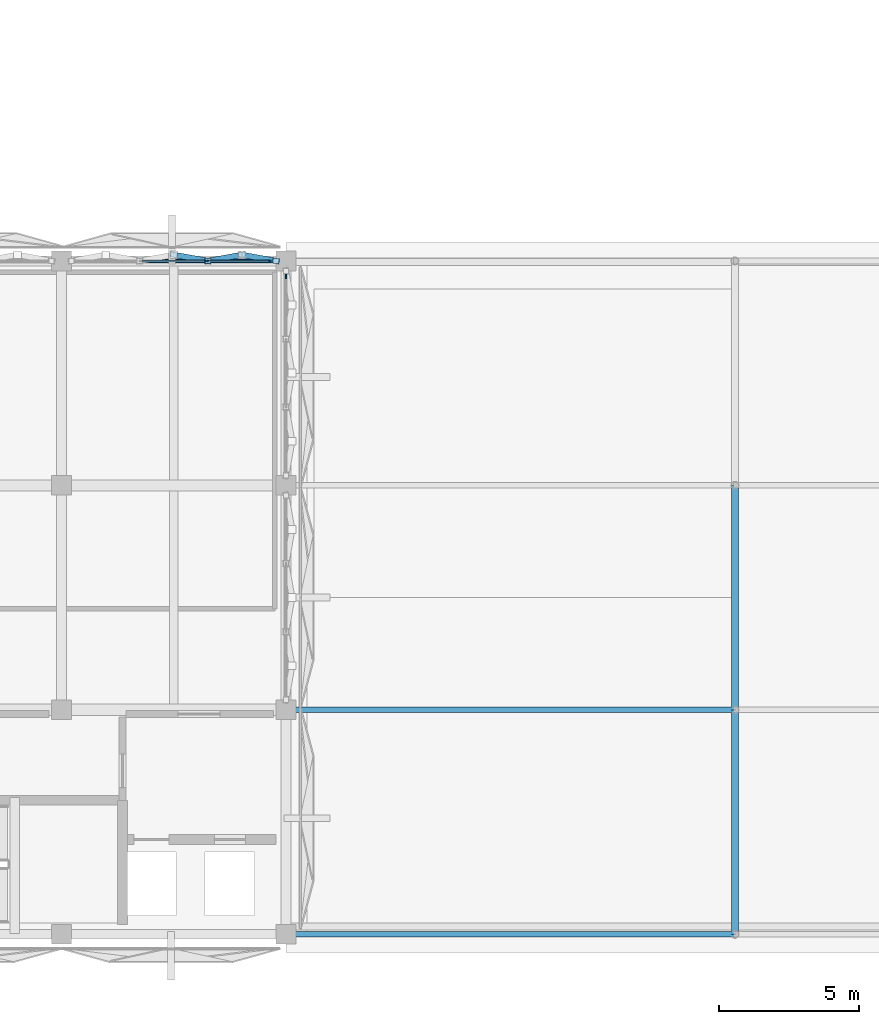
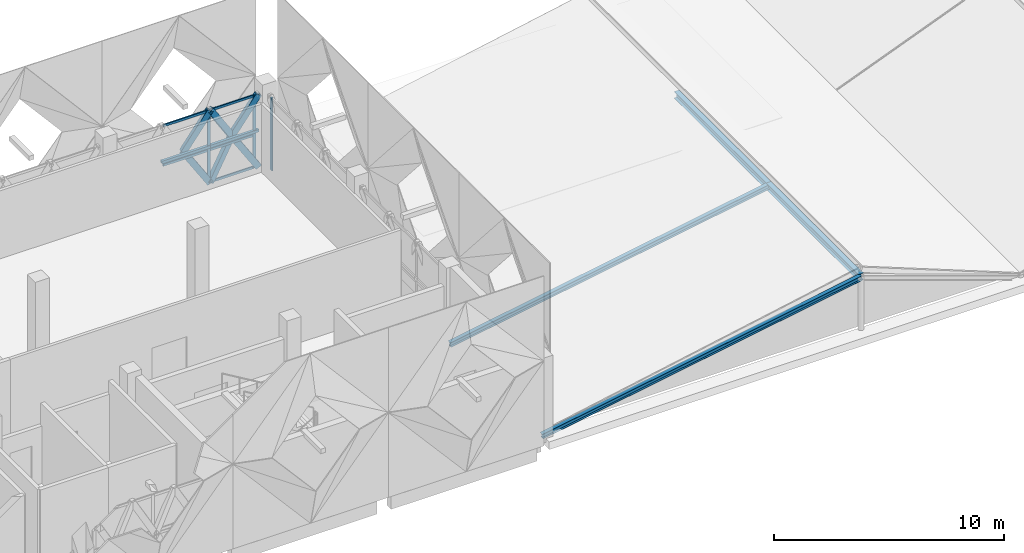
# One storey, part 16 of 37: 18 members, 2 beams, 2 elements without a shape of their own.
"""IFC4 building model written with IfcOpenShell, lengths in metres."""

from ifc_helpers import new_model, si_unit, direction, frame, origin, origin_2d, place, context, subcontext, project, spatial, rectangle, hollow_rectangle, i_section, extrude, material, layer, layer_set, material_profile, profile_set, type_object, element, aggregate, save


model = new_model("IFC4")

# Units and contexts
model_context = context("Model", 3, precision=1e-05, world=origin(), true_north=direction((0.0, 1.0)))
body_context = subcontext(model_context, "Body", "Model", "MODEL_VIEW")
ifc_project = project(units=[si_unit("LENGTHUNIT", "METRE"), si_unit("AREAUNIT", "SQUARE_METRE"), si_unit("VOLUMEUNIT", "CUBIC_METRE"), si_unit("PLANEANGLEUNIT", "RADIAN"), si_unit("MASSUNIT", "GRAM", prefix="KILO")], contexts=[model_context])

# Site, building, storey
site_placement = place(None, origin())
site = spatial("IfcSite", under=ifc_project, at=site_placement, CompositionType="ELEMENT")
building_placement = place(site_placement, origin())
building = spatial("IfcBuilding", under=site, at=building_placement, Name="Qorikala Patio Media Centre", CompositionType="ELEMENT")
storey_placement = place(building_placement, frame((0.0, 0.0, 14.39990234375)))
storey = spatial("IfcBuildingStorey", under=building, at=storey_placement, Name="L03", CompositionType="ELEMENT", Elevation=14.39990234375)

# Members
ifc_material_1 = material(Name="Golden Bronze Coated Steel S355", Category="steel")
ifc_material_profile_1 = material_profile(ifc_material_1, hollow_rectangle(XDim=0.139892578125, YDim=0.139892578125, WallThickness=0.006103515625, at=origin_2d()), Name="HSS140X140X6")
ifc_profile_set_1 = profile_set([ifc_material_profile_1], Name="Golden Bronze Coated Steel S355")
member_type_1 = type_object("IfcMemberType", Name="BRACE-DIA140", PredefinedType="BRACE", material=ifc_profile_set_1)
member_1_placement = place(storey_placement, frame((92.78662109375, 27.0, 1.925048828125), z_axis=(1.0, 0.0, 0.0), x_axis=(0.0, 1.0, 0.0)))
element("IfcMember", 1, at=member_1_placement, inside=storey, type_object=member_type_1, Name="L03 Diamond Fold Tie 107", PredefinedType="BRACE", context=body_context, shape_type="SweptSolid", body=[
    extrude(hollow_rectangle(XDim=0.139892578125, YDim=0.139892578125, WallThickness=0.006103515625, at=origin_2d()), origin(), (0.0, 0.0, 1.0), 2.4267578125),
])
member_2_placement = place(storey_placement, frame((95.21337890625, 27.0, 1.925048828125), z_axis=(1.0, 0.0, 0.0), x_axis=(0.0, 1.0, 0.0)))
element("IfcMember", 2, at=member_2_placement, inside=storey, type_object=member_type_1, Name="L03 Diamond Fold Tie 108", PredefinedType="BRACE", context=body_context, shape_type="SweptSolid", body=[
    extrude(hollow_rectangle(XDim=0.139892578125, YDim=0.139892578125, WallThickness=0.006103515625, at=origin_2d()), origin(), (0.0, 0.0, 1.0), 2.426513671875),
])

# Curtain wall, member
ifc_material_2 = material(Name="Golden Bronze Anodised Aluminium and Low-E Glass", Category="aluminium")
ifc_layer = layer(ifc_material_2, 0.159912109375)
ifc_layer_set = layer_set([ifc_layer], Name="Golden Bronze Anodised Aluminium and Low-E Glass")
curtain_wall_type = type_object("IfcCurtainWallType", Name="CW-DIA-696X385", PredefinedType="USERDEFINED", material=ifc_layer_set)
curtain_wall_1_placement = place(storey_placement, origin())
curtain_wall_1 = element("IfcCurtainWall", 3, at=curtain_wall_1_placement, inside=storey, type_object=curtain_wall_type, Name="L03 Courtyard Curtain Wall 064", ObjectType="COURTYARD CURTAIN WALL", PredefinedType="USERDEFINED")
ifc_material_3 = material(Name="Golden Bronze Anodised Aluminium", Category="aluminium")
ifc_material_profile_2 = material_profile(ifc_material_3, rectangle(XDim=0.06494140625, YDim=0.14990234375, at=origin_2d()), Name="ALU MULLION 65x150")
ifc_profile_set_2 = profile_set([ifc_material_profile_2], Name="Golden Bronze Anodised Aluminium")
member_type_2 = type_object("IfcMemberType", Name="CWM-65X150", PredefinedType="MULLION", material=ifc_profile_set_2)
member_3_placement = place(storey_placement, frame((98.0, 26.447509765625, 0.0), z_axis=(0.0, 0.0, 1.0), x_axis=(1.0, 0.0, 0.0)))
member_3 = element("IfcMember", 4, at=member_3_placement, type_object=member_type_2, Name="CWD696385 mullion 1", PredefinedType="MULLION", context=body_context, shape_type="SweptSolid", body=[
    extrude(rectangle(XDim=0.06494140625, YDim=0.14990234375, at=origin_2d()), origin(), (0.0, 0.0, 1.0), 3.85009765625),
])
aggregate(curtain_wall_1, [member_3])

# Curtain wall, members
curtain_wall_2_placement = place(storey_placement, origin())
curtain_wall_2 = element("IfcCurtainWall", 5, at=curtain_wall_2_placement, inside=storey, type_object=curtain_wall_type, Name="L03 Courtyard Curtain Wall 077", ObjectType="COURTYARD CURTAIN WALL", PredefinedType="USERDEFINED")
member_4_placement = place(storey_placement, frame((95.159912109375, 27.0, 0.0), z_axis=(0.0, 0.0, 1.0), x_axis=(0.0, 1.0, 0.0)))
member_4 = element("IfcMember", 6, at=member_4_placement, type_object=member_type_2, Name="CWD696385 mullion 3", PredefinedType="MULLION", context=body_context, shape_type="SweptSolid", body=[
    extrude(rectangle(XDim=0.06494140625, YDim=0.14990234375, at=origin_2d()), origin(), (0.0, 0.0, 1.0), 3.85009765625),
])
member_5_placement = place(storey_placement, frame((97.447509765625, 27.0, 0.0), z_axis=(0.0, 0.0, 1.0), x_axis=(0.0, 1.0, 0.0)))
member_5 = element("IfcMember", 7, at=member_5_placement, type_object=member_type_2, Name="CWD696385 mullion 4", PredefinedType="MULLION", context=body_context, shape_type="SweptSolid", body=[
    extrude(rectangle(XDim=0.06494140625, YDim=0.14990234375, at=origin_2d()), origin(), (0.0, 0.0, 1.0), 3.85009765625),
])
ifc_material_profile_3 = material_profile(ifc_material_3, rectangle(XDim=0.06494140625, YDim=0.1201171875, at=origin_2d()), Name="ALU TRANSOM 65x120")
ifc_profile_set_3 = profile_set([ifc_material_profile_3], Name="Golden Bronze Anodised Aluminium")
member_type_3 = type_object("IfcMemberType", Name="CWT-65X120", PredefinedType="USERDEFINED", material=ifc_profile_set_3)
member_6_placement = place(storey_placement, frame((92.87255859375, 27.0, 1.732666015625), z_axis=(1.0, 0.0, 0.0), x_axis=(0.0, 1.0, 0.0)))
member_6 = element("IfcMember", 8, at=member_6_placement, type_object=member_type_3, Name="CWD696385 transom 2.2", ObjectType="TRANSOM", PredefinedType="USERDEFINED", context=body_context, shape_type="SweptSolid", body=[
    extrude(rectangle(XDim=0.06494140625, YDim=0.1201171875, at=origin_2d()), origin(), (0.0, 0.0, 1.0), 2.2548828125),
])
member_7_placement = place(storey_placement, frame((92.87255859375, 27.0, 3.817626953125), z_axis=(1.0, 0.0, 0.0), x_axis=(0.0, 1.0, 0.0)))
member_7 = element("IfcMember", 9, at=member_7_placement, type_object=member_type_3, Name="CWD696385 transom 2.3", ObjectType="TRANSOM", PredefinedType="USERDEFINED", context=body_context, shape_type="SweptSolid", body=[
    extrude(rectangle(XDim=0.06494140625, YDim=0.1201171875, at=origin_2d()), origin(), (0.0, 0.0, 1.0), 2.2548828125),
])
member_8_placement = place(storey_placement, frame((95.1923828125, 27.0, 0.03271484375), z_axis=(1.0, 0.0, 0.0), x_axis=(0.0, 1.0, 0.0)))
member_8 = element("IfcMember", 10, at=member_8_placement, type_object=member_type_3, Name="CWD696385 transom 3.1", ObjectType="TRANSOM", PredefinedType="USERDEFINED", context=body_context, shape_type="SweptSolid", body=[
    extrude(rectangle(XDim=0.06494140625, YDim=0.1201171875, at=origin_2d()), origin(), (0.0, 0.0, 1.0), 2.22265625),
])
member_9_placement = place(storey_placement, frame((95.1923828125, 27.0, 1.732666015625), z_axis=(1.0, 0.0, 0.0), x_axis=(0.0, 1.0, 0.0)))
member_9 = element("IfcMember", 11, at=member_9_placement, type_object=member_type_3, Name="CWD696385 transom 3.2", ObjectType="TRANSOM", PredefinedType="USERDEFINED", context=body_context, shape_type="SweptSolid", body=[
    extrude(rectangle(XDim=0.06494140625, YDim=0.1201171875, at=origin_2d()), origin(), (0.0, 0.0, 1.0), 2.22265625),
])
member_10_placement = place(storey_placement, frame((95.1923828125, 27.0, 3.817626953125), z_axis=(1.0, 0.0, 0.0), x_axis=(0.0, 1.0, 0.0)))
member_10 = element("IfcMember", 12, at=member_10_placement, type_object=member_type_3, Name="CWD696385 transom 3.3", ObjectType="TRANSOM", PredefinedType="USERDEFINED", context=body_context, shape_type="SweptSolid", body=[
    extrude(rectangle(XDim=0.06494140625, YDim=0.1201171875, at=origin_2d()), origin(), (0.0, 0.0, 1.0), 2.22265625),
])
aggregate(curtain_wall_2, [member_4, member_5, member_6, member_7, member_8, member_9, member_10])

# Members
ifc_material_4 = material(Name="Steel S355", Category="steel")
ifc_material_profile_4 = material_profile(ifc_material_4, i_section(OverallWidth=0.202880859375, OverallDepth=0.251953125, WebThickness=0.008056640625, FlangeThickness=0.013427734375, at=origin_2d()), Name="W250X58")
ifc_profile_set_4 = profile_set([ifc_material_profile_4], Name="Steel S355")
member_type_4 = type_object("IfcMemberType", Name="RAFTER-W250X58", PredefinedType="RAFTER", material=ifc_profile_set_4)
for number, where, z_axis, x_axis, name in (
    (13, (98.0, 3.0, 0.150146484375), (0.985029956721, 0.0, 0.172383248499), (0.0, 1.0, 0.0), "RF-V7A1 W Steel Rafter Y=3"),
    (14, (98.0, 11.0, 0.150146484375), (0.985029956721, 0.0, 0.172383248499), (0.0, 1.0, 0.0), "RF-V7A1 W Steel Rafter Y=11"),
):
    element("IfcMember", number, at=place(storey_placement, frame(where, z_axis=z_axis, x_axis=x_axis)), inside=storey, type_object=member_type_4, Name=name, PredefinedType="RAFTER", context=body_context, shape_type="SweptSolid", body=[
        extrude(i_section(OverallWidth=0.202880859375, OverallDepth=0.251953125, WebThickness=0.008056640625, FlangeThickness=0.013427734375, at=origin_2d()), origin(), (0.0, 0.0, 1.0), 16.2431640625),
    ])

# Beams
ifc_material_profile_5 = material_profile(ifc_material_4, i_section(OverallWidth=0.25390625, OverallDepth=0.35302734375, WebThickness=0.009521484375, FlangeThickness=0.016357421875, at=origin_2d()), Name="W360X91")
ifc_profile_set_5 = profile_set([ifc_material_profile_5], Name="Steel S355")
beam_type = type_object("IfcBeamType", Name="SBM-W360X91", PredefinedType="BEAM", material=ifc_profile_set_5)
for number, where, z_axis, x_axis, name in (
    (15, (114.0, 3.0, 2.9501953125), (0.0, 1.0, 0.0), (-1.0, 0.0, 0.0), "RF-V7A1 Steel Ridge Girder"),
    (16, (114.0, 11.0, 2.9501953125), (0.0, 1.0, 0.0), (-1.0, 0.0, 0.0), "RF-V7A1 Steel Ridge Girder"),
):
    element("IfcBeam", number, at=place(storey_placement, frame(where, z_axis=z_axis, x_axis=x_axis)), inside=storey, type_object=beam_type, Name=name, PredefinedType="BEAM", context=body_context, shape_type="SweptSolid", body=[
        extrude(i_section(OverallWidth=0.25390625, OverallDepth=0.35302734375, WebThickness=0.009521484375, FlangeThickness=0.016357421875, at=origin_2d()), origin(), (0.0, 0.0, 1.0), 8.0),
    ])

# Members
ifc_material_profile_6 = material_profile(ifc_material_1, hollow_rectangle(XDim=0.199951171875, YDim=0.300048828125, WallThickness=0.011962890625, at=origin_2d()), Name="HSS300X200X12")
ifc_profile_set_6 = profile_set([ifc_material_profile_6], Name="Golden Bronze Coated Steel S355")
member_type_5 = type_object("IfcMemberType", Name="STRUT-DIA300", PredefinedType="STRUT", material=ifc_profile_set_6)
for number, where, z_axis, x_axis, name in (
    (17, (95.21337890625, 27.0, 0.0), (-0.530768093717, 0.095901357778, 0.842073726148), (-0.177805036072, -0.98406573416, 0.0), "L03 Diamond Foyer Fold Strut 107-DL2"),
    (18, (94.0, 27.21923828125, 1.925048828125), (0.530768093717, -0.095901357778, 0.842073726148), (0.177805036072, 0.98406573416, 0.0), "L03 Diamond Foyer Fold Strut 107-DU2"),
    (19, (95.21337890625, 27.0, 0.0), (0.530768093717, 0.095901357778, 0.842073726148), (-0.177805036072, 0.98406573416, 0.0), "L03 Diamond Foyer Fold Strut 108-DL1"),
):
    element("IfcMember", number, at=place(storey_placement, frame(where, z_axis=z_axis, x_axis=x_axis)), inside=storey, type_object=member_type_5, Name=name, PredefinedType="STRUT", context=body_context, shape_type="SweptSolid", body=[
        extrude(hollow_rectangle(XDim=0.199951171875, YDim=0.300048828125, WallThickness=0.011962890625, at=origin_2d()), origin(), (0.0, 0.0, 1.0), 2.2861328125),
    ])
member_11_placement = place(storey_placement, frame((97.639892578125, 27.0, 0.0), z_axis=(-0.530691378365, 0.095906793675, 0.842121456713), x_axis=(-0.17783968734, -0.984059472596, 0.0)))
element("IfcMember", 20, at=member_11_placement, inside=storey, type_object=member_type_5, Name="L03 Diamond Foyer Fold Strut 108-DL2", PredefinedType="STRUT", context=body_context, shape_type="SweptSolid", body=[
    extrude(hollow_rectangle(XDim=0.199951171875, YDim=0.300048828125, WallThickness=0.011962890625, at=origin_2d()), origin(), (0.0, 0.0, 1.0), 2.285888671875),
])
member_12_placement = place(storey_placement, frame((96.4267578125, 27.21923828125, 1.925048828125), z_axis=(-0.530768093717, -0.095901357778, 0.842073726148), x_axis=(0.177805036072, -0.98406573416, 0.0)))
element("IfcMember", 21, at=member_12_placement, inside=storey, type_object=member_type_5, Name="L03 Diamond Foyer Fold Strut 108-DU1", PredefinedType="STRUT", context=body_context, shape_type="SweptSolid", body=[
    extrude(hollow_rectangle(XDim=0.199951171875, YDim=0.300048828125, WallThickness=0.011962890625, at=origin_2d()), origin(), (0.0, 0.0, 1.0), 2.2861328125),
])
member_13_placement = place(storey_placement, frame((96.4267578125, 27.21923828125, 1.925048828125), z_axis=(0.530691378365, -0.095906793675, 0.842121456713), x_axis=(0.17783968734, 0.984059472596, 0.0)))
element("IfcMember", 22, at=member_13_placement, inside=storey, type_object=member_type_5, Name="L03 Diamond Foyer Fold Strut 108-DU2", PredefinedType="STRUT", context=body_context, shape_type="SweptSolid", body=[
    extrude(hollow_rectangle(XDim=0.199951171875, YDim=0.300048828125, WallThickness=0.011962890625, at=origin_2d()), origin(), (0.0, 0.0, 1.0), 2.285888671875),
])

save(model, "model.ifc")
